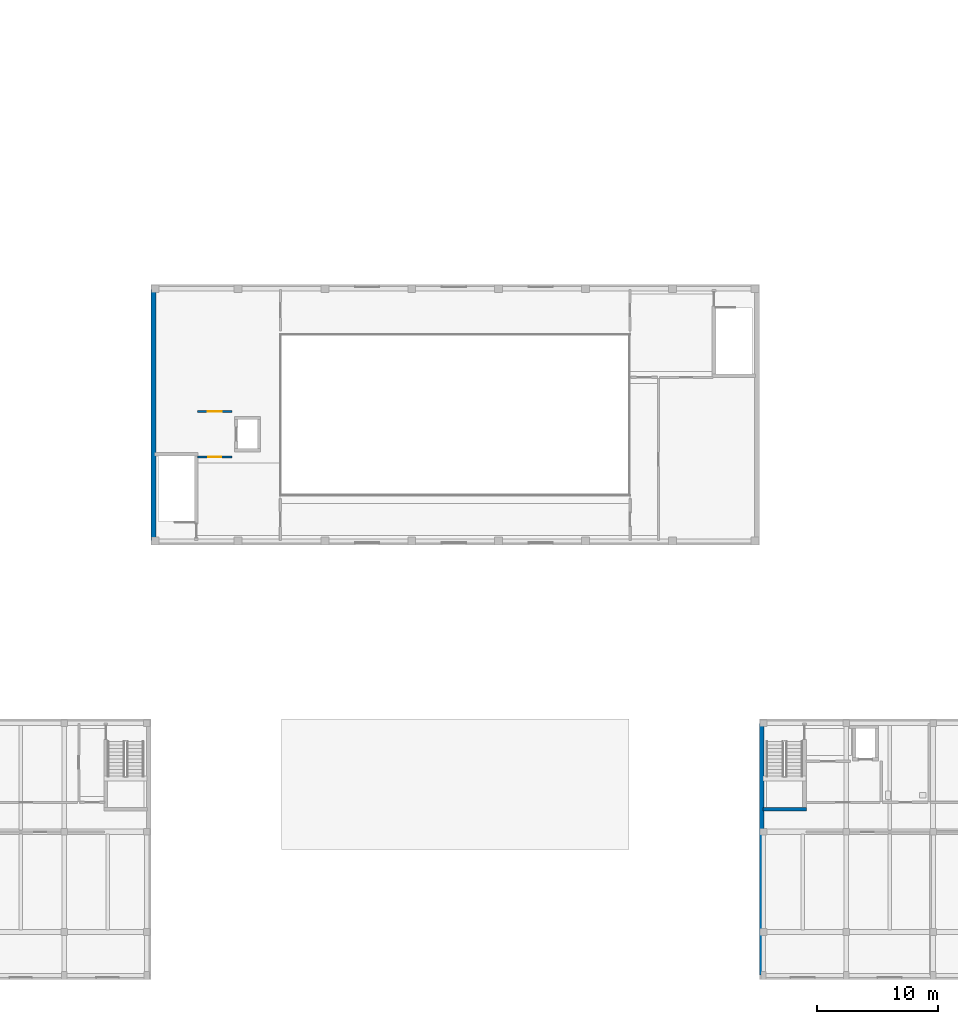
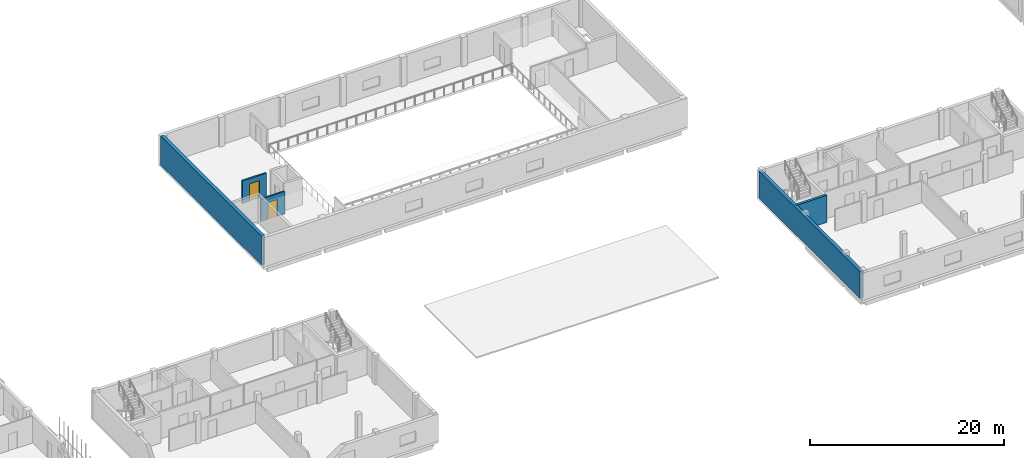
# One storey, part 38 of 73: 5 walls, 2 doors, 2 openings.
"""IFC4 building model written with IfcOpenShell, lengths in metres."""

import ifcopenshell
import ifcopenshell.guid

model = None  # the IFC model being written
_history = None  # IfcOwnerHistory: only IFC2X3 demands one
_inside = {}  # id of a spatial element -> (the spatial element, [elements in it])
_under = {}  # id of a project, library or spatial element -> (it, [spatial elements below it])
_declared = {}  # id of a project -> (the project, [libraries it declares])
_typed = {}  # id of a type object -> (the type object, [elements of that type])
_made_of = {}  # id of a material, layer set ... -> (it, [elements and type objects made of it])


def new_model(schema):
    """Start an empty IFC model of exactly this schema.

    Asked for "IFC4X3", IfcOpenShell would pick the latest addendum, in which some entities
    have other attributes; the version numbers below select the first issue.
    IFC2X3 requires an IfcOwnerHistory on every rooted entity: one is made here for all.
    """
    global model, _history
    if schema == "IFC4X3":
        model = ifcopenshell.file(schema_version=(4, 3, 0, 0))
    else:
        model = ifcopenshell.file(schema=schema)
    _inside.clear()
    _under.clear()
    _declared.clear()
    _typed.clear()
    _made_of.clear()
    _history = None
    if model.schema == "IFC2X3":
        org = make("IfcOrganization", Name="unknown")
        user = make(
            "IfcPersonAndOrganization",
            ThePerson=make("IfcPerson", FamilyName="unknown"),
            TheOrganization=org,
        )
        app = make(
            "IfcApplication",
            ApplicationDeveloper=org,
            Version="unknown",
            ApplicationFullName="unknown",
            ApplicationIdentifier="unknown",
        )
        _history = make(
            "IfcOwnerHistory",
            OwningUser=user,
            OwningApplication=app,
            ChangeAction="ADDED",
            CreationDate=0,
        )
    return model


def make(cls, **values):
    """One entity of the class cls with the attributes given. An attribute that is None is left unset."""
    return model.create_entity(
        cls, **{name: value for name, value in values.items() if value is not None}
    )


def rooted(cls, **values):
    """An entity with a GlobalId (a new one), such as an element, a storey or a relation."""
    return make(cls, GlobalId=ifcopenshell.guid.new(), OwnerHistory=_history, **values)


def si_unit(unit_type, name, prefix=None):
    """IfcSIUnit, for example si_unit("LENGTHUNIT", "METRE", prefix="MILLI")."""
    return make("IfcSIUnit", UnitType=unit_type, Prefix=prefix, Name=name)


def derived_unit(unit_type, elements):
    """IfcDerivedUnit: a product of units, each with its exponent."""
    return make(
        "IfcDerivedUnit",
        Elements=[
            make("IfcDerivedUnitElement", Unit=unit, Exponent=power)
            for unit, power in elements
        ],
        UnitType=unit_type,
    )


def assignment(units):
    """IfcUnitAssignment: the units of a project."""
    return None if units is None else make("IfcUnitAssignment", Units=units)


def point(xyz):
    """IfcCartesianPoint."""
    return None if xyz is None else make("IfcCartesianPoint", Coordinates=xyz)


def direction(xyz):
    """IfcDirection."""
    return None if xyz is None else make("IfcDirection", DirectionRatios=xyz)


def frame(location, z_axis=None, x_axis=None):
    """IfcAxis2Placement3D, a coordinate frame: its origin and axes. An axis left out is left unset."""
    return make(
        "IfcAxis2Placement3D",
        Location=point(location),
        Axis=direction(z_axis),
        RefDirection=direction(x_axis),
    )


def frame_2d(location, x_axis=None):
    """IfcAxis2Placement2D, a coordinate frame in the plane: its origin and x axis."""
    return make(
        "IfcAxis2Placement2D", Location=point(location), RefDirection=direction(x_axis)
    )


def origin():
    """The frame at (0, 0, 0) with its axes left unset."""
    return frame((0.0, 0.0, 0.0))


def place(relative_to, where):
    """IfcLocalPlacement: puts the frame where relative to a parent placement (None: the world)."""
    return make(
        "IfcLocalPlacement", PlacementRelTo=relative_to, RelativePlacement=where
    )


def context(
    kind, dimensions, precision=None, world=None, true_north=None, identifier=None
):
    """IfcGeometricRepresentationContext, for example the 3D "Model" context."""
    return make(
        "IfcGeometricRepresentationContext",
        ContextIdentifier=identifier,
        ContextType=kind,
        CoordinateSpaceDimension=dimensions,
        Precision=precision,
        WorldCoordinateSystem=world,
        TrueNorth=true_north,
    )


def subcontext(parent, identifier, kind, view, scale=None):
    """IfcGeometricRepresentationSubContext, for example "Body" below "Model"."""
    return make(
        "IfcGeometricRepresentationSubContext",
        ContextIdentifier=identifier,
        ContextType=kind,
        ParentContext=parent,
        TargetScale=scale,
        TargetView=view,
    )


def project(units=None, contexts=None):
    """IfcProject with its units and contexts."""
    return rooted(
        "IfcProject",
        Name="project",
        RepresentationContexts=contexts,
        UnitsInContext=assignment(units),
    )


def spatial(cls, under=None, at=None, **own):
    """A site, building, storey or space (cls), placed at a placement, below another one or the project."""
    s = rooted(cls, ObjectPlacement=at, **own)
    if under is not None:
        _under.setdefault(under.id(), (under, []))[1].append(s)
    return s


def profile(cls, at=None, kind="AREA", **sizes):
    """A parametric profile (cls). Its sizes go by their IFC names, for example OverallWidth=200.0."""
    return make(cls, ProfileType=kind, Position=at, **sizes)


def rectangle(**sizes):
    """IfcRectangleProfileDef."""
    return profile("IfcRectangleProfileDef", **sizes)


def extrude(swept, where, along, depth):
    """IfcExtrudedAreaSolid: the profile swept, set in the frame where, extruded along a direction by depth."""
    return make(
        "IfcExtrudedAreaSolid",
        SweptArea=swept,
        Position=where,
        ExtrudedDirection=direction(along),
        Depth=depth,
    )


def shape(context_of_items, identifier, shape_type, items):
    """IfcShapeRepresentation: the items that make up one representation, for example the "Body"."""
    return make(
        "IfcShapeRepresentation",
        ContextOfItems=context_of_items,
        RepresentationIdentifier=identifier,
        RepresentationType=shape_type,
        Items=items,
    )


def material(Name=None, Category=None):
    """IfcMaterial."""
    return make("IfcMaterial", Name=Name, Category=Category)


def layer(
    of_material, thickness, ventilated=None, Name=None, Category=None, Priority=None
):
    """IfcMaterialLayer: one layer of a wall or slab, of a material (None: an air gap)."""
    return make(
        "IfcMaterialLayer",
        Material=of_material,
        LayerThickness=thickness,
        IsVentilated=ventilated,
        Name=Name,
        Category=Category,
        Priority=Priority,
    )


def layer_set(layers, Name=None):
    """IfcMaterialLayerSet."""
    return make("IfcMaterialLayerSet", MaterialLayers=layers, LayerSetName=Name)


def made_of(thing, what):
    """Note that an element or type object is made of a material, layer set ...; save() writes the relation."""
    if what is not None:
        _made_of.setdefault(what.id(), (what, []))[1].append(thing)
    return thing


def type_object(cls, material=None, **own):
    """A type object (cls), such as IfcWallType, which elements share."""
    return made_of(rooted(cls, **own), material)


def element(
    cls,
    number,
    at=None,
    inside=None,
    cuts=None,
    type_object=None,
    material=None,
    context=None,
    identifier="Body",
    shape_type=None,
    held_by="IfcProductDefinitionShape",
    body=None,
    shapes=None,
    **own,
):
    """One element of the class cls, such as IfcWall. Its Tag is "e" and its number.

    at: its placement. inside: the storey or other place that contains it. cuts: it is an
    opening in that element (IfcRelVoidsElement). A single representation is given by context,
    identifier, shape_type and body (its items); several are given by shapes. held_by: the class
    of the entity that holds the representations. save() writes the other relations.
    """
    e = rooted(cls, Tag="e%d" % number, ObjectPlacement=at, **own)
    if body is not None:
        shapes = [shape(context, identifier, shape_type, body)]
    if shapes is not None:
        e.Representation = make(held_by, Representations=shapes)
    if inside is not None:
        _inside.setdefault(inside.id(), (inside, []))[1].append(e)
    if cuts is not None:
        rooted(
            "IfcRelVoidsElement", RelatingBuildingElement=cuts, RelatedOpeningElement=e
        )
    if type_object is not None:
        _typed.setdefault(type_object.id(), (type_object, []))[1].append(e)
    return made_of(e, material)


def fill(opening, filler):
    """IfcRelFillsElement: the door or window that sits in an opening."""
    return rooted(
        "IfcRelFillsElement",
        RelatingOpeningElement=opening,
        RelatedBuildingElement=filler,
    )


def aggregate(whole, parts):
    """IfcRelAggregates: a whole, such as a stair, and the parts it consists of."""
    return rooted("IfcRelAggregates", RelatingObject=whole, RelatedObjects=parts)


def save(model, path):
    """Write the relations noted so far, then the file.

    IfcRelAggregates (storeys below a building ...), IfcRelContainedInSpatialStructure (elements
    in a storey), IfcRelDefinesByType, IfcRelAssociatesMaterial and IfcRelDeclares: one each for
    every whole, place, type object, material and project.
    """
    for whole, parts in _under.values():
        aggregate(whole, parts)
    for where, things in _inside.values():
        rooted(
            "IfcRelContainedInSpatialStructure",
            RelatedElements=things,
            RelatingStructure=where,
        )
    for kind, things in _typed.values():
        rooted("IfcRelDefinesByType", RelatedObjects=things, RelatingType=kind)
    for what, things in _made_of.values():
        rooted("IfcRelAssociatesMaterial", RelatedObjects=things, RelatingMaterial=what)
    for by, libraries in _declared.values():
        rooted("IfcRelDeclares", RelatingContext=by, RelatedDefinitions=libraries)
    model.write(path)


model = new_model("IFC4")

# Units and contexts
model_context = context("Model", 3, precision=1e-05, world=origin(), true_north=direction((0.0, 1.0)))
body_context = subcontext(model_context, "Body", "Model", "MODEL_VIEW")
ifc_project = project(units=[si_unit("LENGTHUNIT", "METRE"), si_unit("AREAUNIT", "SQUARE_METRE"), si_unit("VOLUMEUNIT", "CUBIC_METRE"), si_unit("PLANEANGLEUNIT", "RADIAN"), si_unit("MASSUNIT", "GRAM", prefix="KILO"), derived_unit("THERMALTRANSMITTANCEUNIT", [(si_unit("MASSUNIT", "GRAM", prefix="KILO"), 1), (si_unit("TIMEUNIT", "SECOND"), -3), (si_unit("THERMODYNAMICTEMPERATUREUNIT", "KELVIN"), -1)])], contexts=[model_context])

# Site, building, storey
site_placement = place(None, origin())
site = spatial("IfcSite", under=ifc_project, at=site_placement, CompositionType="ELEMENT")
building_placement = place(site_placement, origin())
building = spatial("IfcBuilding", under=site, at=building_placement, Name="Ochrekiln Boulevard Commons", CompositionType="ELEMENT")
storey_placement = place(building_placement, frame((0.0, 0.0, 4.89990234375)))
storey = spatial("IfcBuildingStorey", under=building, at=storey_placement, Name="L01", CompositionType="ELEMENT", Elevation=4.89990234375)

# Walls
ifc_material_1 = material(Name="Desert ochre clinker brick masonry ASTM C216 Grade SW", Category="masonry")
ifc_layer_1 = layer(ifc_material_1, 0.3798828125)
ifc_layer_set_1 = layer_set([ifc_layer_1], Name="Desert ochre clinker brick masonry ASTM C216 Grade SW")
wall_type_1 = type_object("IfcWallType", Name="WL-EXT-ARC-380", PredefinedType="SOLIDWALL", material=ifc_layer_set_1)
wall_1_placement = place(storey_placement, frame((108.18994140625, 0.3798828125, 0.0), z_axis=(0.0, 0.0, 1.0), x_axis=(0.0, 1.0, 0.0)))
element("IfcWall", 1, at=wall_1_placement, inside=storey, type_object=wall_type_1, Name="East Boulevard Arcade L01 W Exterior Wall", PredefinedType="SOLIDWALL", context=body_context, shape_type="SweptSolid", body=[
    extrude(rectangle(XDim=20.840087890625, YDim=0.3798828125, at=frame_2d((10.419921875, 0.0))), origin(), (0.0, 0.0, 1.0), 3.400146484375),
])
ifc_material_2 = material(Name="Iron-spot brown clinker brick masonry ASTM C216 Grade SW", Category="masonry")
ifc_layer_2 = layer(ifc_material_2, 0.39990234375)
ifc_layer_set_2 = layer_set([ifc_layer_2], Name="Iron-spot brown clinker brick masonry ASTM C216 Grade SW")
wall_type_2 = type_object("IfcWallType", Name="WL-EXT-HALL-400", PredefinedType="SOLIDWALL", material=ifc_layer_set_2)
wall_2_placement = place(storey_placement, frame((57.800048828125, 36.39990234375, 0.0), z_axis=(0.0, 0.0, 1.0), x_axis=(0.0, 1.0, 0.0)))
element("IfcWall", 2, at=wall_2_placement, inside=storey, type_object=wall_type_2, Name="Community Hall L01 W Exterior Wall", PredefinedType="SOLIDWALL", context=body_context, shape_type="SweptSolid", body=[
    extrude(rectangle(XDim=20.800048828125, YDim=0.39990234375, at=frame_2d((10.39990234375, 0.0))), origin(), (0.0, 0.0, 1.0), 3.675048828125),
])

# Wall, opening, door
ifc_material_3 = material(Name="Fire-rated Type X gypsum board on steel studs", Category="steel")
ifc_layer_3 = layer(ifc_material_3, 0.18994140625)
ifc_layer_set_3 = layer_set([ifc_layer_3], Name="Fire-rated Type X gypsum board on steel studs")
wall_type_3 = type_object("IfcWallType", Name="WL-PT-LBY-190", PredefinedType="PARTITIONING", material=ifc_layer_set_3)
wall_3_placement = place(storey_placement, frame((61.449951171875, 43.31005859375, 0.0), z_axis=(0.0, 0.0, 1.0), x_axis=(1.0, 0.0, 0.0)))
wall_3 = element("IfcWall", 3, at=wall_3_placement, inside=storey, type_object=wall_type_3, Name="L01 Interior Wall W-PL190", PredefinedType="PARTITIONING", context=body_context, shape_type="SweptSolid", body=[
    extrude(rectangle(XDim=2.85009765625, YDim=0.18994140625, at=frame_2d((1.425048828125, 0.0))), origin(), (0.0, 0.0, 1.0), 2.840087890625),
])
opening_1_placement = place(wall_3_placement, frame((0.875, 0.0, 0.0)))
opening_1 = element("IfcOpeningElement", 4, at=opening_1_placement, cuts=wall_3, Name="Opening D-L01-270", PredefinedType="OPENING", context=body_context, shape_type="SweptSolid", body=[
    extrude(rectangle(XDim=1.10009765625, YDim=2.1201171875, at=frame_2d((0.550048828125, 1.06005859375))), frame((0.0, 0.10498046875, 0.0), z_axis=(0.0, -1.0, 0.0), x_axis=(1.0, 0.0, 0.0)), (0.0, 0.0, 1.0), 0.2099609375),
])
ifc_material_4 = material(Name="Hollow metal fire-rated steel door assembly", Category="steel")
door_type_1 = type_object("IfcDoorType", Name="DR-LOBBY-60", OperationType="NOTDEFINED", PredefinedType="DOOR", material=ifc_material_4)
door_1_placement = place(opening_1_placement, origin())
door_1 = element("IfcDoor", 5, at=door_1_placement, inside=storey, type_object=door_type_1, Name="L01 Interior Door to Passenger Elevator Lobby", OperationType="SINGLE_SWING_RIGHT", OverallHeight=2.1201171875, OverallWidth=1.10009765625, PredefinedType="DOOR", context=body_context, shape_type="SweptSolid", body=[
    extrude(rectangle(XDim=1.10009765625, YDim=2.1201171875, at=frame_2d((0.550048828125, 1.06005859375))), frame((0.0, 0.02490234375, 0.0), z_axis=(0.0, -1.0, 0.0), x_axis=(1.0, 0.0, 0.0)), (0.0, 0.0, 1.0), 0.050048828125),
])
fill(opening_1, door_1)

wall_4_placement = place(storey_placement, frame((61.449951171875, 47.090087890625, 0.0), z_axis=(0.0, 0.0, 1.0), x_axis=(1.0, 0.0, 0.0)))
wall_4 = element("IfcWall", 6, at=wall_4_placement, inside=storey, type_object=wall_type_3, Name="L01 Interior Wall W-PL190", PredefinedType="PARTITIONING", context=body_context, shape_type="SweptSolid", body=[
    extrude(rectangle(XDim=2.85009765625, YDim=0.18994140625, at=frame_2d((1.425048828125, 0.0))), origin(), (0.0, 0.0, 1.0), 2.840087890625),
])
opening_2_placement = place(wall_4_placement, frame((0.85498046875, 0.0, 0.0)))
opening_2 = element("IfcOpeningElement", 7, at=opening_2_placement, cuts=wall_4, Name="Opening D-L01-271", PredefinedType="OPENING", context=body_context, shape_type="SweptSolid", body=[
    extrude(rectangle(XDim=1.139892578125, YDim=2.179931640625, at=frame_2d((0.56982421875, 1.08984375))), frame((0.0, 0.10498046875, 0.0), z_axis=(0.0, -1.0, 0.0), x_axis=(1.0, 0.0, 0.0)), (0.0, 0.0, 1.0), 0.2099609375),
])
ifc_material_5 = material(Name="Solid core architectural oak door leaf")
door_type_2 = type_object("IfcDoorType", Name="DR-INT-CIV-114", OperationType="NOTDEFINED", PredefinedType="DOOR", material=ifc_material_5)
door_2_placement = place(opening_2_placement, origin())
door_2 = element("IfcDoor", 8, at=door_2_placement, inside=storey, type_object=door_type_2, Name="L01 Interior Door to Community Craft Room", OperationType="SINGLE_SWING_LEFT", OverallHeight=2.179931640625, OverallWidth=1.139892578125, PredefinedType="DOOR", context=body_context, shape_type="SweptSolid", body=[
    extrude(rectangle(XDim=1.139892578125, YDim=2.179931640625, at=frame_2d((0.56982421875, 1.08984375))), frame((0.0, 0.02490234375, 0.0), z_axis=(0.0, -1.0, 0.0), x_axis=(1.0, 0.0, 0.0)), (0.0, 0.0, 1.0), 0.050048828125),
])
fill(opening_2, door_2)

# Wall
ifc_material_6 = material(Name="Concrete C40/50", Category="concrete")
ifc_layer_4 = layer(ifc_material_6, 0.300048828125)
ifc_layer_set_4 = layer_set([ifc_layer_4], Name="Concrete C40/50")
wall_type_4 = type_object("IfcWallType", Name="WL-SH-300", PredefinedType="SHEAR", material=ifc_layer_set_4)
wall_5_placement = place(storey_placement, frame((108.300048828125, 14.1298828125, 0.0), z_axis=(0.0, 0.0, 1.0), x_axis=(1.0, 0.0, 0.0)))
element("IfcWall", 9, at=wall_5_placement, inside=storey, type_object=wall_type_4, Name="Stair ST-E1 L01 Core Shear Wall S", PredefinedType="SHEAR", context=body_context, shape_type="SweptSolid", body=[
    extrude(rectangle(XDim=3.599853515625, YDim=0.300048828125, at=frame_2d((1.7998046875, 0.0))), origin(), (0.0, 0.0, 1.0), 3.400146484375),
])

save(model, "model.ifc")
